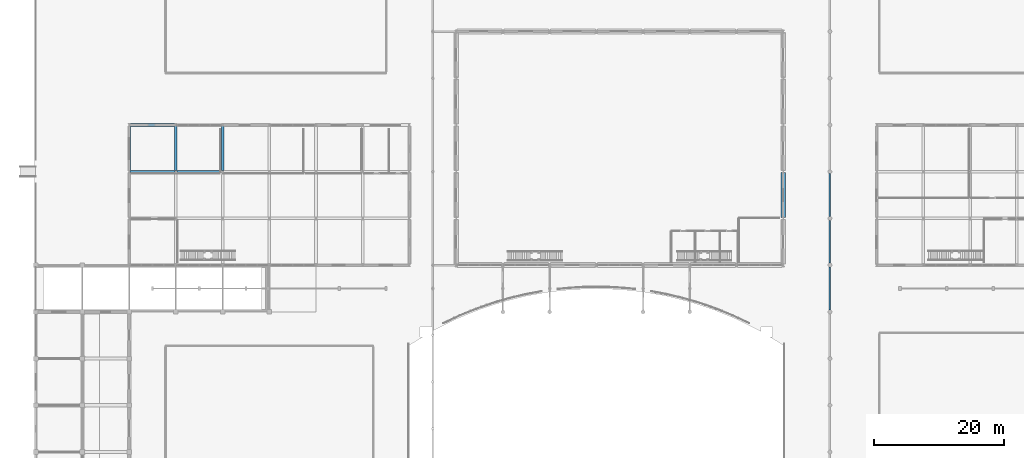
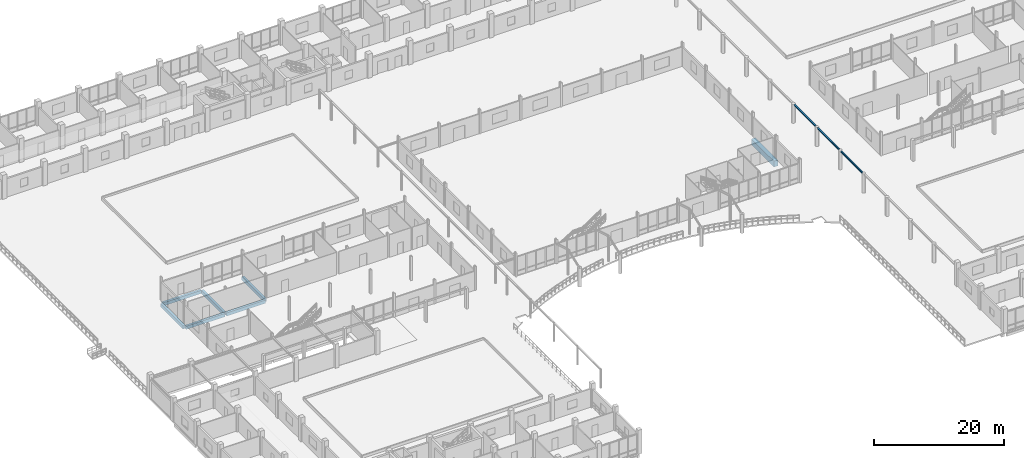
# One storey, part 43 of 139: 10 beams.
"""IFC4 building model written with IfcOpenShell, lengths in metres."""

from ifc_helpers import new_model, si_unit, direction, frame, origin, origin_2d, place, context, subcontext, project, spatial, rectangle, i_section, extrude, material, material_profile, profile_set, type_object, element, save


model = new_model("IFC4")

# Units and contexts
model_context = context("Model", 3, precision=1e-05, world=origin(), true_north=direction((0.0, 1.0)))
body_context = subcontext(model_context, "Body", "Model", "MODEL_VIEW")
ifc_project = project(units=[si_unit("LENGTHUNIT", "METRE"), si_unit("AREAUNIT", "SQUARE_METRE"), si_unit("VOLUMEUNIT", "CUBIC_METRE"), si_unit("PLANEANGLEUNIT", "RADIAN"), si_unit("MASSUNIT", "GRAM", prefix="KILO")], contexts=[model_context])

# Site, building, storey
site_placement = place(None, origin())
site = spatial("IfcSite", under=ifc_project, at=site_placement, CompositionType="ELEMENT")
building_placement = place(site_placement, origin())
building = spatial("IfcBuilding", under=site, at=building_placement, Name="Suanplinth Sawtooth Commons", CompositionType="ELEMENT")
storey_placement = place(building_placement, origin())
storey = spatial("IfcBuildingStorey", under=building, at=storey_placement, Name="L00", CompositionType="ELEMENT", Elevation=0.0)

# Beams
ifc_material_1 = material(Name="Concrete C40/50", Category="concrete")
ifc_material_profile_1 = material_profile(ifc_material_1, rectangle(XDim=0.699951171875, YDim=1.10009765625, at=origin_2d()), Name="RC-TG 700x1100")
ifc_profile_set_1 = profile_set([ifc_material_profile_1], Name="Concrete C40/50")
beam_type_1 = type_object("IfcBeamType", Name="B-02", PredefinedType="USERDEFINED", material=ifc_profile_set_1)
beam_placement = place(storey_placement, frame((115.199951171875, 57.75, -0.9599609375), z_axis=(0.0, 1.0, 0.0), x_axis=(-1.0, 0.0, 0.0)))
element("IfcBeam", 1, at=beam_placement, inside=storey, type_object=beam_type_1, Name="BMY-L00-HALL-16-8", ObjectType="GIRDER", PredefinedType="USERDEFINED", context=body_context, shape_type="SweptSolid", body=[
    extrude(rectangle(XDim=0.699951171875, YDim=1.10009765625, at=origin_2d()), origin(), (0.0, 0.0, 1.0), 6.89990234375),
])
ifc_material_2 = material(Name="Precast concrete C40/50", Category="concrete")
ifc_material_profile_2 = material_profile(ifc_material_2, rectangle(XDim=0.39990234375, YDim=0.60009765625, at=origin_2d()), Name="PC-GDR 400x600")
ifc_profile_set_2 = profile_set([ifc_material_profile_2], Name="Precast concrete C40/50")
beam_type_2 = type_object("IfcBeamType", Name="B-05", PredefinedType="USERDEFINED", material=ifc_profile_set_2)
for number, where, z_axis, x_axis, name in (
    (2, (14.550048828125, 64.800048828125, -0.7099609375), (1.0, 0.0, 0.0), (0.0, 1.0, 0.0), "BMX-L00-MKT-2-9"),
    (3, (14.550048828125, 72.0, -0.7099609375), (1.0, 0.0, 0.0), (0.0, 1.0, 0.0), "BMX-L00-MKT-2-10"),
    (4, (21.75, 64.800048828125, -0.7099609375), (1.0, 0.0, 0.0), (0.0, 1.0, 0.0), "BMX-L00-MKT-3-9"),
):
    element("IfcBeam", number, at=place(storey_placement, frame(where, z_axis=z_axis, x_axis=x_axis)), inside=storey, type_object=beam_type_2, Name=name, ObjectType="GIRDER", PredefinedType="USERDEFINED", context=body_context, shape_type="SweptSolid", body=[
        extrude(rectangle(XDim=0.39990234375, YDim=0.60009765625, at=origin_2d()), origin(), (0.0, 0.0, 1.0), 6.89990234375),
    ])
for number, where, z_axis, x_axis, name in (
    (5, (14.39990234375, 64.949951171875, -0.7099609375), (0.0, 1.0, 0.0), (-1.0, 0.0, 0.0), "BMY-L00-MKT-2-9"),
    (6, (21.60009765625, 64.949951171875, -0.7099609375), (0.0, 1.0, 0.0), (-1.0, 0.0, 0.0), "BMY-L00-MKT-3-9"),
    (7, (28.800048828125, 64.949951171875, -0.7099609375), (0.0, 1.0, 0.0), (-1.0, 0.0, 0.0), "BMY-L00-MKT-4-9"),
):
    element("IfcBeam", number, at=place(storey_placement, frame(where, z_axis=z_axis, x_axis=x_axis)), inside=storey, type_object=beam_type_2, Name=name, ObjectType="GIRDER", PredefinedType="USERDEFINED", context=body_context, shape_type="SweptSolid", body=[
        extrude(rectangle(XDim=0.39990234375, YDim=0.60009765625, at=origin_2d()), origin(), (0.0, 0.0, 1.0), 6.900146484375),
    ])
ifc_material_3 = material(Name="Steel S355JR", Category="steel")
ifc_material_profile_3 = material_profile(ifc_material_3, i_section(OverallWidth=0.239990234375, OverallDepth=0.22998046875, WebThickness=0.007568359375, FlangeThickness=0.011962890625, at=origin_2d()), Name="HEA 240")
ifc_profile_set_3 = profile_set([ifc_material_profile_3], Name="Steel S355JR")
beam_type_3 = type_object("IfcBeamType", Name="B-17", PredefinedType="BEAM", material=ifc_profile_set_3)
for number, where, z_axis, x_axis, name in (
    (8, (122.39990234375, 43.5, 3.43505859375), (0.0, 1.0, 0.0), (-1.0, 0.0, 0.0), "BM-EBZ-SPINE-6"),
    (9, (122.39990234375, 50.699951171875, 3.43505859375), (0.0, 1.0, 0.0), (-1.0, 0.0, 0.0), "BM-EBZ-SPINE-7"),
    (10, (122.39990234375, 57.89990234375, 3.43505859375), (0.0, 1.0, 0.0), (-1.0, 0.0, 0.0), "BM-EBZ-SPINE-8"),
):
    element("IfcBeam", number, at=place(storey_placement, frame(where, z_axis=z_axis, x_axis=x_axis)), inside=storey, type_object=beam_type_3, Name=name, PredefinedType="BEAM", context=body_context, shape_type="SweptSolid", body=[
        extrude(i_section(OverallWidth=0.239990234375, OverallDepth=0.22998046875, WebThickness=0.007568359375, FlangeThickness=0.011962890625, at=origin_2d()), origin(), (0.0, 0.0, 1.0), 6.60009765625),
    ])

save(model, "model.ifc")
